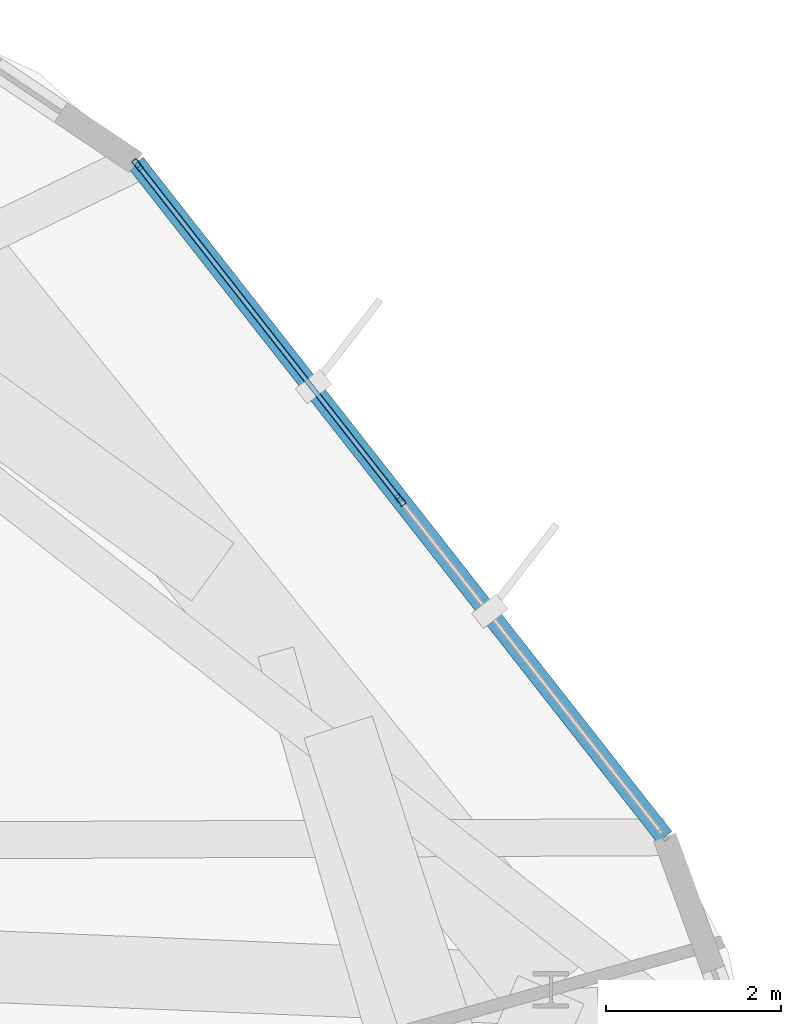
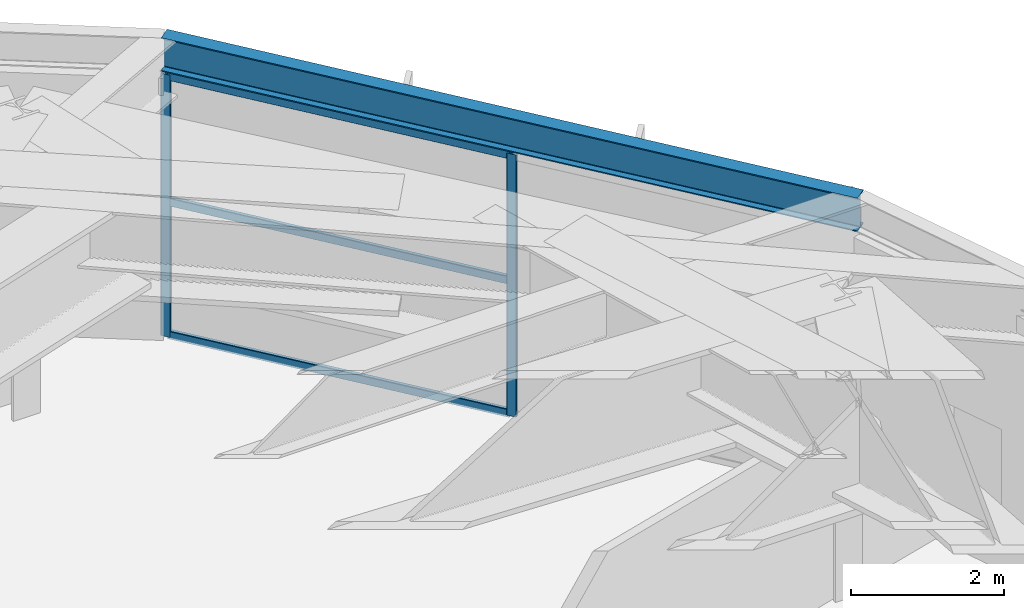
# One storey, part 23 of 30: 5 members, 1 beam, 1 element without a shape of its own.
"""IFC4 building model written with IfcOpenShell, lengths in metres."""

import ifcopenshell
import ifcopenshell.guid

model = None  # the IFC model being written
_history = None  # IfcOwnerHistory: only IFC2X3 demands one
_inside = {}  # id of a spatial element -> (the spatial element, [elements in it])
_under = {}  # id of a project, library or spatial element -> (it, [spatial elements below it])
_declared = {}  # id of a project -> (the project, [libraries it declares])
_typed = {}  # id of a type object -> (the type object, [elements of that type])
_made_of = {}  # id of a material, layer set ... -> (it, [elements and type objects made of it])


def new_model(schema):
    """Start an empty IFC model of exactly this schema.

    Asked for "IFC4X3", IfcOpenShell would pick the latest addendum, in which some entities
    have other attributes; the version numbers below select the first issue.
    IFC2X3 requires an IfcOwnerHistory on every rooted entity: one is made here for all.
    """
    global model, _history
    if schema == "IFC4X3":
        model = ifcopenshell.file(schema_version=(4, 3, 0, 0))
    else:
        model = ifcopenshell.file(schema=schema)
    _inside.clear()
    _under.clear()
    _declared.clear()
    _typed.clear()
    _made_of.clear()
    _history = None
    if model.schema == "IFC2X3":
        org = make("IfcOrganization", Name="unknown")
        user = make(
            "IfcPersonAndOrganization",
            ThePerson=make("IfcPerson", FamilyName="unknown"),
            TheOrganization=org,
        )
        app = make(
            "IfcApplication",
            ApplicationDeveloper=org,
            Version="unknown",
            ApplicationFullName="unknown",
            ApplicationIdentifier="unknown",
        )
        _history = make(
            "IfcOwnerHistory",
            OwningUser=user,
            OwningApplication=app,
            ChangeAction="ADDED",
            CreationDate=0,
        )
    return model


def make(cls, **values):
    """One entity of the class cls with the attributes given. An attribute that is None is left unset."""
    return model.create_entity(
        cls, **{name: value for name, value in values.items() if value is not None}
    )


def rooted(cls, **values):
    """An entity with a GlobalId (a new one), such as an element, a storey or a relation."""
    return make(cls, GlobalId=ifcopenshell.guid.new(), OwnerHistory=_history, **values)


def si_unit(unit_type, name, prefix=None):
    """IfcSIUnit, for example si_unit("LENGTHUNIT", "METRE", prefix="MILLI")."""
    return make("IfcSIUnit", UnitType=unit_type, Prefix=prefix, Name=name)


def assignment(units):
    """IfcUnitAssignment: the units of a project."""
    return None if units is None else make("IfcUnitAssignment", Units=units)


def point(xyz):
    """IfcCartesianPoint."""
    return None if xyz is None else make("IfcCartesianPoint", Coordinates=xyz)


def direction(xyz):
    """IfcDirection."""
    return None if xyz is None else make("IfcDirection", DirectionRatios=xyz)


def frame(location, z_axis=None, x_axis=None):
    """IfcAxis2Placement3D, a coordinate frame: its origin and axes. An axis left out is left unset."""
    return make(
        "IfcAxis2Placement3D",
        Location=point(location),
        Axis=direction(z_axis),
        RefDirection=direction(x_axis),
    )


def frame_2d(location, x_axis=None):
    """IfcAxis2Placement2D, a coordinate frame in the plane: its origin and x axis."""
    return make(
        "IfcAxis2Placement2D", Location=point(location), RefDirection=direction(x_axis)
    )


def origin():
    """The frame at (0, 0, 0) with its axes left unset."""
    return frame((0.0, 0.0, 0.0))


def origin_2d():
    """The frame at (0, 0) in the plane with its x axis left unset."""
    return frame_2d((0.0, 0.0))


def place(relative_to, where):
    """IfcLocalPlacement: puts the frame where relative to a parent placement (None: the world)."""
    return make(
        "IfcLocalPlacement", PlacementRelTo=relative_to, RelativePlacement=where
    )


def context(
    kind, dimensions, precision=None, world=None, true_north=None, identifier=None
):
    """IfcGeometricRepresentationContext, for example the 3D "Model" context."""
    return make(
        "IfcGeometricRepresentationContext",
        ContextIdentifier=identifier,
        ContextType=kind,
        CoordinateSpaceDimension=dimensions,
        Precision=precision,
        WorldCoordinateSystem=world,
        TrueNorth=true_north,
    )


def subcontext(parent, identifier, kind, view, scale=None):
    """IfcGeometricRepresentationSubContext, for example "Body" below "Model"."""
    return make(
        "IfcGeometricRepresentationSubContext",
        ContextIdentifier=identifier,
        ContextType=kind,
        ParentContext=parent,
        TargetScale=scale,
        TargetView=view,
    )


def project(units=None, contexts=None):
    """IfcProject with its units and contexts."""
    return rooted(
        "IfcProject",
        Name="project",
        RepresentationContexts=contexts,
        UnitsInContext=assignment(units),
    )


def spatial(cls, under=None, at=None, **own):
    """A site, building, storey or space (cls), placed at a placement, below another one or the project."""
    s = rooted(cls, ObjectPlacement=at, **own)
    if under is not None:
        _under.setdefault(under.id(), (under, []))[1].append(s)
    return s


def profile(cls, at=None, kind="AREA", **sizes):
    """A parametric profile (cls). Its sizes go by their IFC names, for example OverallWidth=200.0."""
    return make(cls, ProfileType=kind, Position=at, **sizes)


def hollow_rectangle(**sizes):
    """IfcRectangleHollowProfileDef."""
    return profile("IfcRectangleHollowProfileDef", **sizes)


def i_section(**sizes):
    """IfcIShapeProfileDef."""
    return profile("IfcIShapeProfileDef", **sizes)


def extrude(swept, where, along, depth):
    """IfcExtrudedAreaSolid: the profile swept, set in the frame where, extruded along a direction by depth."""
    return make(
        "IfcExtrudedAreaSolid",
        SweptArea=swept,
        Position=where,
        ExtrudedDirection=direction(along),
        Depth=depth,
    )


def shape(context_of_items, identifier, shape_type, items):
    """IfcShapeRepresentation: the items that make up one representation, for example the "Body"."""
    return make(
        "IfcShapeRepresentation",
        ContextOfItems=context_of_items,
        RepresentationIdentifier=identifier,
        RepresentationType=shape_type,
        Items=items,
    )


def material(Name=None, Category=None):
    """IfcMaterial."""
    return make("IfcMaterial", Name=Name, Category=Category)


def layer(
    of_material, thickness, ventilated=None, Name=None, Category=None, Priority=None
):
    """IfcMaterialLayer: one layer of a wall or slab, of a material (None: an air gap)."""
    return make(
        "IfcMaterialLayer",
        Material=of_material,
        LayerThickness=thickness,
        IsVentilated=ventilated,
        Name=Name,
        Category=Category,
        Priority=Priority,
    )


def layer_set(layers, Name=None):
    """IfcMaterialLayerSet."""
    return make("IfcMaterialLayerSet", MaterialLayers=layers, LayerSetName=Name)


def material_profile(
    of_material, cross_section, Name=None, Category=None, Priority=None
):
    """IfcMaterialProfile: a cross section and its material."""
    return make(
        "IfcMaterialProfile",
        Name=Name,
        Material=of_material,
        Profile=cross_section,
        Priority=Priority,
        Category=Category,
    )


def profile_set(profiles, Name=None, composite=None):
    """IfcMaterialProfileSet."""
    return make(
        "IfcMaterialProfileSet",
        Name=Name,
        MaterialProfiles=profiles,
        CompositeProfile=composite,
    )


def made_of(thing, what):
    """Note that an element or type object is made of a material, layer set ...; save() writes the relation."""
    if what is not None:
        _made_of.setdefault(what.id(), (what, []))[1].append(thing)
    return thing


def type_object(cls, material=None, **own):
    """A type object (cls), such as IfcWallType, which elements share."""
    return made_of(rooted(cls, **own), material)


def element(
    cls,
    number,
    at=None,
    inside=None,
    cuts=None,
    type_object=None,
    material=None,
    context=None,
    identifier="Body",
    shape_type=None,
    held_by="IfcProductDefinitionShape",
    body=None,
    shapes=None,
    **own,
):
    """One element of the class cls, such as IfcWall. Its Tag is "e" and its number.

    at: its placement. inside: the storey or other place that contains it. cuts: it is an
    opening in that element (IfcRelVoidsElement). A single representation is given by context,
    identifier, shape_type and body (its items); several are given by shapes. held_by: the class
    of the entity that holds the representations. save() writes the other relations.
    """
    e = rooted(cls, Tag="e%d" % number, ObjectPlacement=at, **own)
    if body is not None:
        shapes = [shape(context, identifier, shape_type, body)]
    if shapes is not None:
        e.Representation = make(held_by, Representations=shapes)
    if inside is not None:
        _inside.setdefault(inside.id(), (inside, []))[1].append(e)
    if cuts is not None:
        rooted(
            "IfcRelVoidsElement", RelatingBuildingElement=cuts, RelatedOpeningElement=e
        )
    if type_object is not None:
        _typed.setdefault(type_object.id(), (type_object, []))[1].append(e)
    return made_of(e, material)


def aggregate(whole, parts):
    """IfcRelAggregates: a whole, such as a stair, and the parts it consists of."""
    return rooted("IfcRelAggregates", RelatingObject=whole, RelatedObjects=parts)


def save(model, path):
    """Write the relations noted so far, then the file.

    IfcRelAggregates (storeys below a building ...), IfcRelContainedInSpatialStructure (elements
    in a storey), IfcRelDefinesByType, IfcRelAssociatesMaterial and IfcRelDeclares: one each for
    every whole, place, type object, material and project.
    """
    for whole, parts in _under.values():
        aggregate(whole, parts)
    for where, things in _inside.values():
        rooted(
            "IfcRelContainedInSpatialStructure",
            RelatedElements=things,
            RelatingStructure=where,
        )
    for kind, things in _typed.values():
        rooted("IfcRelDefinesByType", RelatedObjects=things, RelatingType=kind)
    for what, things in _made_of.values():
        rooted("IfcRelAssociatesMaterial", RelatedObjects=things, RelatingMaterial=what)
    for by, libraries in _declared.values():
        rooted("IfcRelDeclares", RelatingContext=by, RelatedDefinitions=libraries)
    model.write(path)


model = new_model("IFC4")

# Units and contexts
model_context = context("Model", 3, precision=1e-05, world=origin(), true_north=direction((0.0, 1.0)))
body_context = subcontext(model_context, "Body", "Model", "MODEL_VIEW")
ifc_project = project(units=[si_unit("LENGTHUNIT", "METRE"), si_unit("AREAUNIT", "SQUARE_METRE"), si_unit("VOLUMEUNIT", "CUBIC_METRE"), si_unit("PLANEANGLEUNIT", "RADIAN"), si_unit("MASSUNIT", "GRAM", prefix="KILO")], contexts=[model_context])

# Site, building, storey
site_placement = place(None, origin())
site = spatial("IfcSite", under=ifc_project, at=site_placement, CompositionType="ELEMENT")
building_placement = place(site_placement, origin())
building = spatial("IfcBuilding", under=site, at=building_placement, Name="Soratama Intermodal Tower", CompositionType="ELEMENT")
storey_placement = place(building_placement, frame((0.0, 0.0, 237.39990234375)))
storey = spatial("IfcBuildingStorey", under=building, at=storey_placement, Name="L60", CompositionType="ELEMENT", Elevation=237.39990234375)

# Beam
ifc_material_1 = material(Name="Structural steel ASTM A992 Grade 50", Category="steel")
ifc_material_profile_1 = material_profile(ifc_material_1, i_section(OverallWidth=0.2099609375, OverallDepth=0.537109375, WebThickness=0.010986328125, FlangeThickness=0.017333984375, FilletRadius=0.012939453125, at=origin_2d()), Name="W21X68")
ifc_profile_set_1 = profile_set([ifc_material_profile_1], Name="Structural steel ASTM A992 Grade 50")
beam_type = type_object("IfcBeamType", Name="BM-SPN-W21X68", PredefinedType="SPANDREL", material=ifc_profile_set_1)
beam_placement = place(storey_placement, frame((63.6650390625, 33.409912109375, 4.531494140625), z_axis=(-0.617071872013, 0.786906795479, 0.0), x_axis=(-0.786906795479, -0.617071872013, 0.0)))
element("IfcBeam", 1, at=beam_placement, inside=storey, type_object=beam_type, Name="BS-L60-F10", PredefinedType="SPANDREL", context=body_context, shape_type="SweptSolid", body=[
    extrude(i_section(OverallWidth=0.2099609375, OverallDepth=0.537109375, WebThickness=0.010986328125, FlangeThickness=0.017333984375, FilletRadius=0.012939453125, at=origin_2d()), origin(), (0.0, 0.0, 1.0), 9.798095703125),
])

# Curtain wall, members
ifc_material_2 = material(Name="Double-glazed aluminium curtain wall", Category="aluminium")
ifc_layer = layer(ifc_material_2, 0.159912109375)
ifc_layer_set = layer_set([ifc_layer], Name="Double-glazed aluminium curtain wall")
curtain_wall_type = type_object("IfcCurtainWallType", Name="CW-SYS-5", PredefinedType="NOTDEFINED", material=ifc_layer_set)
curtain_wall_placement = place(storey_placement, origin())
curtain_wall = element("IfcCurtainWall", 2, at=curtain_wall_placement, inside=storey, type_object=curtain_wall_type, Name="L60 Faceted Curtain Wall F10", PredefinedType="NOTDEFINED")
ifc_material_3 = material(Name="Anodised aluminium AA 6063-T6", Category="aluminium")
ifc_material_profile_2 = material_profile(ifc_material_3, hollow_rectangle(XDim=0.06494140625, YDim=0.139892578125, WallThickness=0.0048828125, InnerFilletRadius=0.0048828125, OuterFilletRadius=0.010009765625, at=origin_2d()), Name="CWM140X65X5")
ifc_profile_set_2 = profile_set([ifc_material_profile_2], Name="Anodised aluminium AA 6063-T6")
member_type_1 = type_object("IfcMemberType", Name="MT-CWM-5", PredefinedType="MULLION", material=ifc_profile_set_2)
member_1_placement = place(storey_placement, frame((60.641845703125, 37.264892578125, 0.0), z_axis=(0.0, 0.0, 1.0), x_axis=(-0.786934557535, -0.617036467446, 0.0)))
member_1 = element("IfcMember", 3, at=member_1_placement, type_object=member_type_1, Name="CW-5 mullion 2", PredefinedType="MULLION", context=body_context, shape_type="SweptSolid", body=[
    extrude(hollow_rectangle(XDim=0.06494140625, YDim=0.139892578125, WallThickness=0.0048828125, InnerFilletRadius=0.0048828125, OuterFilletRadius=0.010009765625, at=origin_2d()), origin(), (0.0, 0.0, 1.0), 4.17919921875),
])
member_2_placement = place(storey_placement, frame((57.6376953125, 41.09619140625, 0.0), z_axis=(0.0, 0.0, 1.0), x_axis=(-0.786934557535, -0.617036467446, 0.0)))
member_2 = element("IfcMember", 4, at=member_2_placement, type_object=member_type_1, Name="CW-5 mullion 3", PredefinedType="MULLION", context=body_context, shape_type="SweptSolid", body=[
    extrude(hollow_rectangle(XDim=0.06494140625, YDim=0.139892578125, WallThickness=0.0048828125, InnerFilletRadius=0.0048828125, OuterFilletRadius=0.010009765625, at=origin_2d()), origin(), (0.0, 0.0, 1.0), 4.17919921875),
])
ifc_material_4 = material(Name="Anodised aluminium AA 6063-T6", Category="aluminium")
ifc_material_profile_3 = material_profile(ifc_material_4, hollow_rectangle(XDim=0.06005859375, YDim=0.1298828125, WallThickness=0.0048828125, InnerFilletRadius=0.0048828125, OuterFilletRadius=0.010009765625, at=origin_2d()), Name="CWT130X60X5")
ifc_profile_set_3 = profile_set([ifc_material_profile_3], Name="Anodised aluminium AA 6063-T6")
member_type_2 = type_object("IfcMemberType", Name="TT-CWT-2", PredefinedType="USERDEFINED", material=ifc_profile_set_3)
member_3_placement = place(storey_placement, frame((60.62353515625, 37.28857421875, 0.030029296875), z_axis=(-0.617049945873, 0.786923988895, 0.0), x_axis=(-0.786923988895, -0.617049945873, 0.0)))
member_3 = element("IfcMember", 5, at=member_3_placement, type_object=member_type_2, Name="CW-5 transom 2.1", ObjectType="TRANSOM", PredefinedType="USERDEFINED", context=body_context, shape_type="SweptSolid", body=[
    extrude(hollow_rectangle(XDim=0.06005859375, YDim=0.1298828125, WallThickness=0.0048828125, InnerFilletRadius=0.0048828125, OuterFilletRadius=0.010009765625, at=origin_2d()), origin(), (0.0, 0.0, 1.0), 4.808837890625),
])
member_4_placement = place(storey_placement, frame((60.62353515625, 37.28857421875, 2.150146484375), z_axis=(-0.617049945873, 0.786923988895, 0.0), x_axis=(-0.786923988895, -0.617049945873, 0.0)))
member_4 = element("IfcMember", 6, at=member_4_placement, type_object=member_type_2, Name="CW-5 transom 2.2", ObjectType="TRANSOM", PredefinedType="USERDEFINED", context=body_context, shape_type="SweptSolid", body=[
    extrude(hollow_rectangle(XDim=0.06005859375, YDim=0.1298828125, WallThickness=0.0048828125, InnerFilletRadius=0.0048828125, OuterFilletRadius=0.010009765625, at=origin_2d()), origin(), (0.0, 0.0, 1.0), 4.808837890625),
])
member_5_placement = place(storey_placement, frame((60.62353515625, 37.28857421875, 4.149169921875), z_axis=(-0.617049945873, 0.786923988895, 0.0), x_axis=(-0.786923988895, -0.617049945873, 0.0)))
member_5 = element("IfcMember", 7, at=member_5_placement, type_object=member_type_2, Name="CW-5 transom 2.3", ObjectType="TRANSOM", PredefinedType="USERDEFINED", context=body_context, shape_type="SweptSolid", body=[
    extrude(hollow_rectangle(XDim=0.06005859375, YDim=0.1298828125, WallThickness=0.0048828125, InnerFilletRadius=0.0048828125, OuterFilletRadius=0.010009765625, at=origin_2d()), origin(), (0.0, 0.0, 1.0), 4.808837890625),
])
aggregate(curtain_wall, [member_1, member_2, member_3, member_4, member_5])

save(model, "model.ifc")
